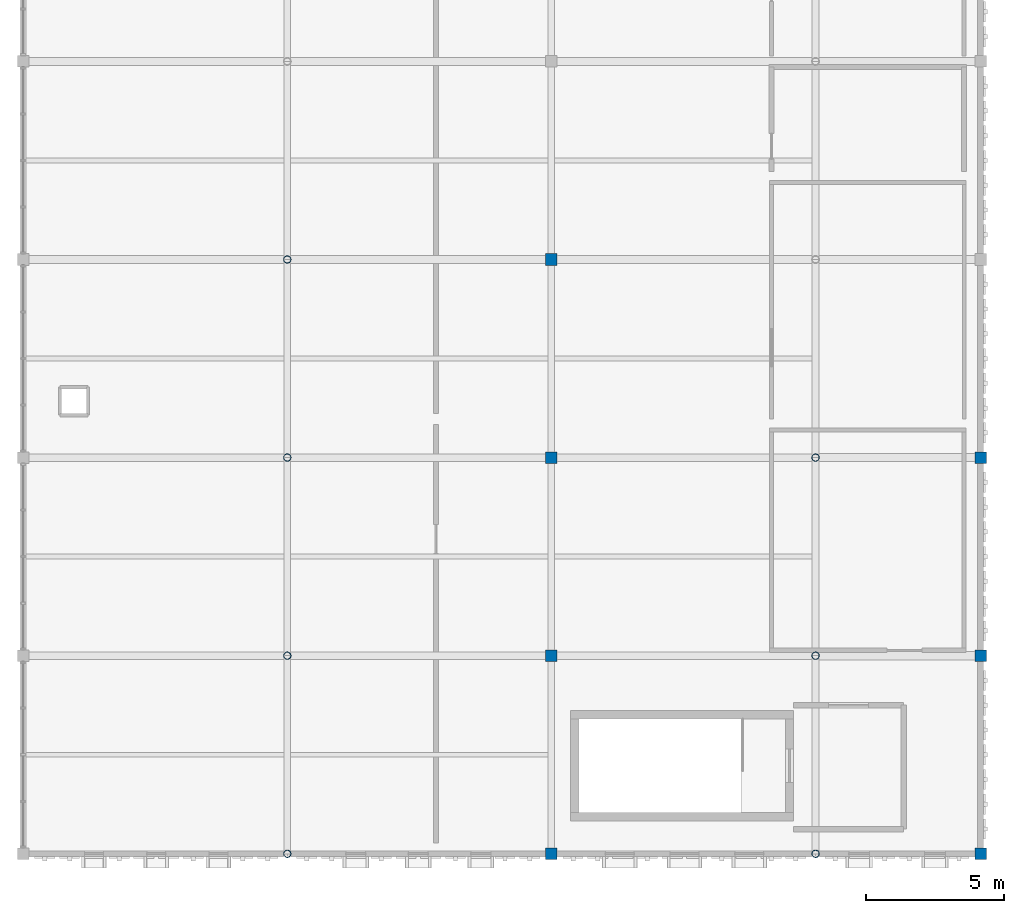
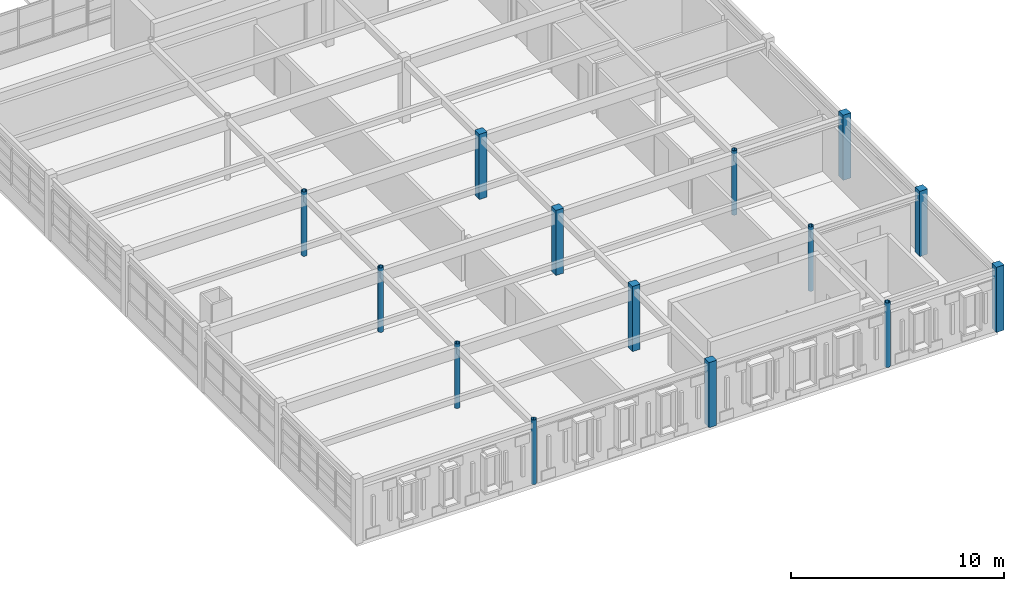
# One storey, part 2 of 25: 14 columns.
"""IFC4 building model written with IfcOpenShell, lengths in metres."""

from ifc_helpers import new_model, si_unit, direction, frame, origin, origin_2d, place, context, subcontext, project, spatial, rectangle, hollow_circle, extrude, material, material_profile, profile_set, type_object, element, save


model = new_model("IFC4")

# Units and contexts
model_context = context("Model", 3, precision=1e-05, world=origin(), true_north=direction((0.0, 1.0)))
body_context = subcontext(model_context, "Body", "Model", "MODEL_VIEW")
ifc_project = project(units=[si_unit("LENGTHUNIT", "METRE"), si_unit("AREAUNIT", "SQUARE_METRE"), si_unit("VOLUMEUNIT", "CUBIC_METRE"), si_unit("PLANEANGLEUNIT", "RADIAN"), si_unit("MASSUNIT", "GRAM", prefix="KILO")], contexts=[model_context])

# Site, building, storey
site_placement = place(None, origin())
site = spatial("IfcSite", under=ifc_project, at=site_placement, CompositionType="ELEMENT")
building_placement = place(site_placement, origin())
building = spatial("IfcBuilding", under=site, at=building_placement, Name="Nzembalo Square Collegiate School", CompositionType="ELEMENT")
storey_placement = place(building_placement, frame((0.0, 0.0, 21.080078125)))
storey = spatial("IfcBuildingStorey", under=building, at=storey_placement, Name="L05", CompositionType="ELEMENT", Elevation=21.080078125)

# Columns
ifc_material_1 = material(Name="Glulam GL28h", Category="wood")
ifc_material_profile_1 = material_profile(ifc_material_1, rectangle(XDim=0.419921875, YDim=0.419921875, at=origin_2d()), Name="GL28h 420x420")
ifc_profile_set_1 = profile_set([ifc_material_profile_1], Name="Glulam GL28h")
column_type_1 = type_object("IfcColumnType", Name="C06", PredefinedType="COLUMN", material=ifc_profile_set_1)
for number, where, z_axis, x_axis, name in (
    (1, (150.0, 8.39990234375, 0.0), (0.0, 0.0, 1.0), (1.0, 0.0, 0.0), "Column C06 L05 22/B"),
    (2, (150.0, 15.60009765625, 0.0), (0.0, 0.0, 1.0), (1.0, 0.0, 0.0), "Column C06 L05 22/C"),
    (3, (150.0, 22.800048828125, 0.0), (0.0, 0.0, 1.0), (1.0, 0.0, 0.0), "Column C06 L05 22/D"),
    (4, (150.0, 30.0, 0.0), (0.0, 0.0, 1.0), (1.0, 0.0, 0.0), "Column C06 L05 22/E"),
    (5, (165.60009765625, 8.39990234375, 0.0), (0.0, 0.0, 1.0), (1.0, 0.0, 0.0), "Column C06 L05 24/B"),
    (6, (165.60009765625, 15.60009765625, 0.0), (0.0, 0.0, 1.0), (1.0, 0.0, 0.0), "Column C06 L05 24/C"),
    (7, (165.60009765625, 22.800048828125, 0.0), (0.0, 0.0, 1.0), (1.0, 0.0, 0.0), "Column C06 L05 24/D"),
):
    element("IfcColumn", number, at=place(storey_placement, frame(where, z_axis=z_axis, x_axis=x_axis)), inside=storey, type_object=column_type_1, Name=name, PredefinedType="COLUMN", context=body_context, shape_type="SweptSolid", body=[
        extrude(rectangle(XDim=0.419921875, YDim=0.419921875, at=origin_2d()), origin(), (0.0, 0.0, 1.0), 3.739990234375),
    ])
ifc_material_2 = material(Name="Steel S355", Category="steel")
ifc_material_profile_2 = material_profile(ifc_material_2, hollow_circle(Radius=0.136474609375, WallThickness=0.011962890625, at=origin_2d()), Name="CHS 273x12")
ifc_profile_set_2 = profile_set([ifc_material_profile_2], Name="Steel S355")
column_type_2 = type_object("IfcColumnType", Name="C09", PredefinedType="COLUMN", material=ifc_profile_set_2)
for number, where, z_axis, x_axis, name in (
    (8, (140.39990234375, 8.39990234375, 0.0), (0.0, 0.0, 1.0), (1.0, 0.0, 0.0), "Column C09 L05 21/B"),
    (9, (140.39990234375, 15.60009765625, 0.0), (0.0, 0.0, 1.0), (1.0, 0.0, 0.0), "Column C09 L05 21/C"),
    (10, (140.39990234375, 22.800048828125, 0.0), (0.0, 0.0, 1.0), (1.0, 0.0, 0.0), "Column C09 L05 21/D"),
    (11, (140.39990234375, 30.0, 0.0), (0.0, 0.0, 1.0), (1.0, 0.0, 0.0), "Column C09 L05 21/E"),
    (12, (159.60009765625, 8.39990234375, 0.0), (0.0, 0.0, 1.0), (1.0, 0.0, 0.0), "Column C09 L05 23/B"),
    (13, (159.60009765625, 15.60009765625, 0.0), (0.0, 0.0, 1.0), (1.0, 0.0, 0.0), "Column C09 L05 23/C"),
    (14, (159.60009765625, 22.800048828125, 0.0), (0.0, 0.0, 1.0), (1.0, 0.0, 0.0), "Column C09 L05 23/D"),
):
    element("IfcColumn", number, at=place(storey_placement, frame(where, z_axis=z_axis, x_axis=x_axis)), inside=storey, type_object=column_type_2, Name=name, PredefinedType="COLUMN", context=body_context, shape_type="SweptSolid", body=[
        extrude(hollow_circle(Radius=0.136474609375, WallThickness=0.011962890625, at=origin_2d()), origin(), (0.0, 0.0, 1.0), 3.699951171875),
    ])

save(model, "model.ifc")
